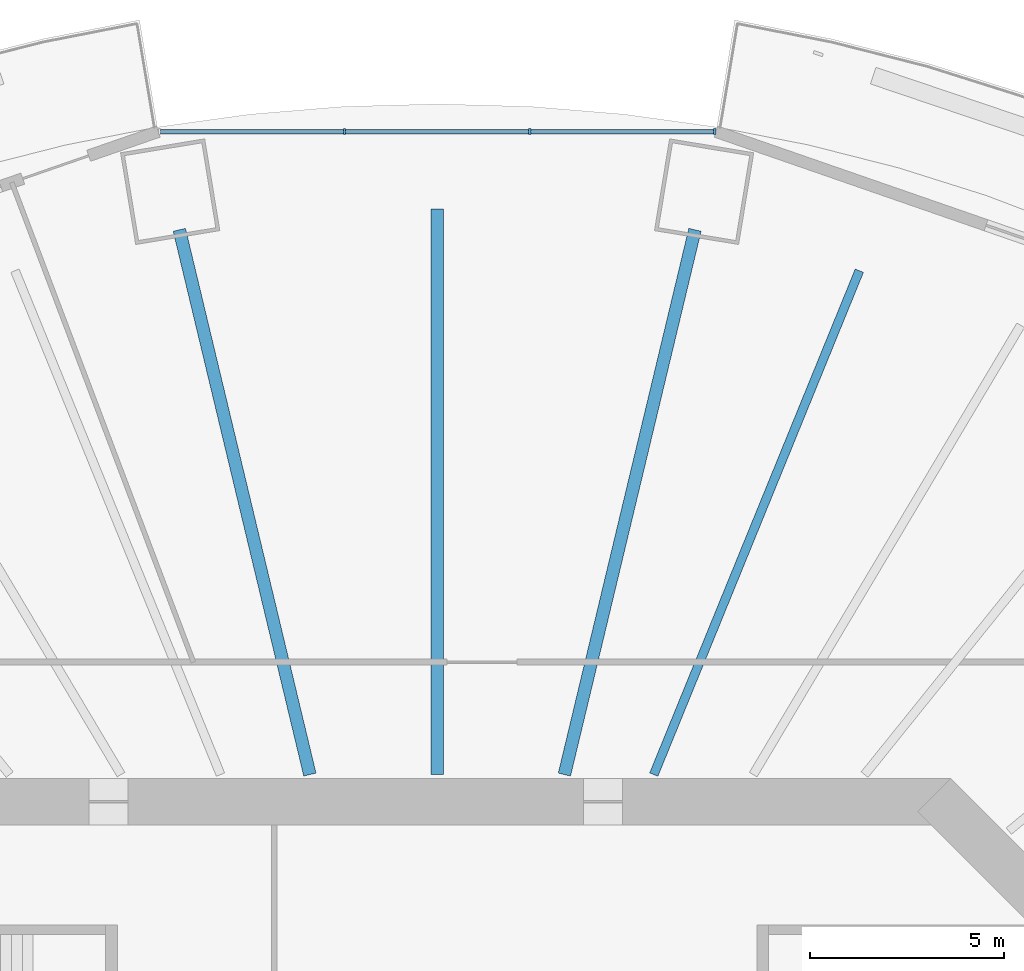
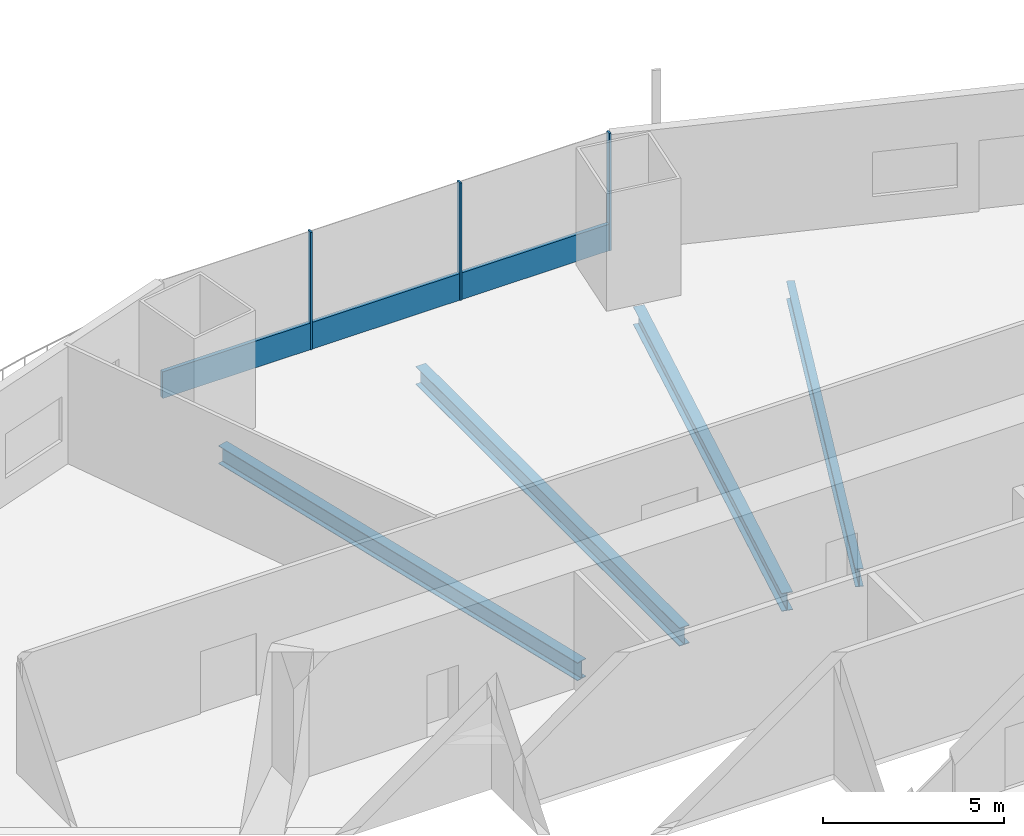
# One storey, part 10 of 27: 4 beams, 4 members, 1 element without a shape of its own.
"""IFC4 building model written with IfcOpenShell, lengths in metres."""

from ifc_helpers import new_model, si_unit, direction, frame, origin, origin_2d, place, context, subcontext, project, spatial, rectangle, i_section, extrude, material, material_profile, profile_set, type_object, element, aggregate, save


model = new_model("IFC4")

# Units and contexts
model_context = context("Model", 3, precision=1e-05, world=origin(), true_north=direction((0.0, 1.0)))
body_context = subcontext(model_context, "Body", "Model", "MODEL_VIEW")
ifc_project = project(units=[si_unit("LENGTHUNIT", "METRE"), si_unit("AREAUNIT", "SQUARE_METRE"), si_unit("VOLUMEUNIT", "CUBIC_METRE"), si_unit("PLANEANGLEUNIT", "RADIAN"), si_unit("MASSUNIT", "GRAM", prefix="KILO")], contexts=[model_context])

# Site, building, storey
site_placement = place(None, origin())
site = spatial("IfcSite", under=ifc_project, at=site_placement, CompositionType="ELEMENT")
building_placement = place(site_placement, origin())
building = spatial("IfcBuilding", under=site, at=building_placement, Name="Marenthal Gate Tower", CompositionType="ELEMENT")
storey_placement = place(building_placement, frame((0.0, 0.0, 33.0)))
storey = spatial("IfcBuildingStorey", under=building, at=storey_placement, Name="L04", CompositionType="ELEMENT", Elevation=33.0)

# Curtain wall, members
ifc_material_1 = material(Name="Aluminium and glass", Category="aluminium")
curtain_wall_type = type_object("IfcCurtainWallType", Name="Curtain wall typical low", PredefinedType="NOTDEFINED", material=ifc_material_1)
curtain_wall_placement = place(storey_placement, origin())
curtain_wall = element("IfcCurtainWall", 1, at=curtain_wall_placement, inside=storey, type_object=curtain_wall_type, Name="Curtain wall L04 bay 4", PredefinedType="NOTDEFINED")
ifc_material_2 = material(Name="Aluminium", Category="aluminium")
ifc_material_profile_1 = material_profile(ifc_material_2, rectangle(XDim=0.159912109375, YDim=0.06005859375, at=origin_2d()), Name="60x160 aluminium mullion")
ifc_profile_set_1 = profile_set([ifc_material_profile_1], Name="Aluminium")
member_type_1 = type_object("IfcMemberType", Name="Mullion 60x160 typical low", PredefinedType="MULLION", material=ifc_profile_set_1)
member_1_placement = place(storey_placement, frame((7.164794921875, 30.28662109375, 0.0), z_axis=(0.0, 0.0, 1.0), x_axis=(0.0, -1.0, 0.0)))
member_1 = element("IfcMember", 2, at=member_1_placement, type_object=member_type_1, Name="Mullion L04 bay 4.1", PredefinedType="MULLION", context=body_context, shape_type="SweptSolid", body=[
    extrude(rectangle(XDim=0.159912109375, YDim=0.06005859375, at=origin_2d()), origin(), (0.0, 0.0, 1.0), 3.969970703125),
])
member_2_placement = place(storey_placement, frame((2.38818359375, 30.28662109375, 0.0), z_axis=(0.0, 0.0, 1.0), x_axis=(0.0, -1.0, 0.0)))
member_2 = element("IfcMember", 3, at=member_2_placement, type_object=member_type_1, Name="Mullion L04 bay 4.2", PredefinedType="MULLION", context=body_context, shape_type="SweptSolid", body=[
    extrude(rectangle(XDim=0.159912109375, YDim=0.06005859375, at=origin_2d()), origin(), (0.0, 0.0, 1.0), 3.969970703125),
])
member_3_placement = place(storey_placement, frame((-2.38818359375, 30.28662109375, 0.0), z_axis=(0.0, 0.0, 1.0), x_axis=(0.0, -1.0, 0.0)))
member_3 = element("IfcMember", 4, at=member_3_placement, type_object=member_type_1, Name="Mullion L04 bay 4.3", PredefinedType="MULLION", context=body_context, shape_type="SweptSolid", body=[
    extrude(rectangle(XDim=0.159912109375, YDim=0.06005859375, at=origin_2d()), origin(), (0.0, 0.0, 1.0), 3.969970703125),
])
ifc_material_3 = material(Name="Aluminium", Category="aluminium")
ifc_material_profile_2 = material_profile(ifc_material_3, rectangle(XDim=0.1201171875, YDim=0.89990234375, at=origin_2d()), Name="120x900 aluminium transom")
ifc_profile_set_2 = profile_set([ifc_material_profile_2], Name="Aluminium")
member_type_2 = type_object("IfcMemberType", Name="Transom 120x900 typical low", PredefinedType="USERDEFINED", material=ifc_profile_set_2)
member_4_placement = place(storey_placement, frame((7.135009765625, 30.28662109375, 0.449951171875), z_axis=(-1.0, 0.0, 0.0), x_axis=(0.0, -1.0, 0.0)))
member_4 = element("IfcMember", 5, at=member_4_placement, type_object=member_type_2, Name="Transom L04 bay 4", ObjectType="TRANSOM", PredefinedType="USERDEFINED", context=body_context, shape_type="SweptSolid", body=[
    extrude(rectangle(XDim=0.1201171875, YDim=0.89990234375, at=origin_2d()), origin(), (0.0, 0.0, 1.0), 14.27001953125),
])
aggregate(curtain_wall, [member_1, member_2, member_3, member_4])

# Beams
ifc_material_4 = material(Name="Steel S355", Category="steel")
ifc_material_profile_3 = material_profile(ifc_material_4, i_section(OverallWidth=0.22900390625, OverallDepth=0.612060546875, WebThickness=0.011962890625, FlangeThickness=0.01953125, FilletRadius=0.0126953125, at=origin_2d()), Name="W610X125")
ifc_profile_set_3 = profile_set([ifc_material_profile_3], Name="Steel S355")
beam_type_1 = type_object("IfcBeamType", Name="W610X125 beam", PredefinedType="BEAM", material=ifc_profile_set_3)
beam_1_placement = place(storey_placement, frame((10.89111328125, 26.697509765625, -0.486083984375), z_axis=(-0.377721132555, -0.925919405791, 0.0), x_axis=(0.925919405791, -0.377721132555, 0.0)))
element("IfcBeam", 6, at=beam_1_placement, inside=storey, type_object=beam_type_1, Name="BM-L04-21", PredefinedType="BEAM", context=body_context, shape_type="SweptSolid", body=[
    extrude(i_section(OverallWidth=0.22900390625, OverallDepth=0.612060546875, WebThickness=0.011962890625, FlangeThickness=0.01953125, FilletRadius=0.0126953125, at=origin_2d()), origin(), (0.0, 0.0, 1.0), 14.037353515625),
])
ifc_material_5 = material(Name="Steel S355", Category="steel")
ifc_material_profile_4 = material_profile(ifc_material_5, i_section(OverallWidth=0.324951171875, OverallDepth=0.612060546875, WebThickness=0.0126953125, FlangeThickness=0.01904296875, FilletRadius=0.0126953125, at=origin_2d()), Name="W610X155")
ifc_profile_set_4 = profile_set([ifc_material_profile_4], Name="Steel S355")
beam_type_2 = type_object("IfcBeamType", Name="W610X155 beam", PredefinedType="BEAM", material=ifc_profile_set_4)
for number, where, z_axis, x_axis, name in (
    (7, (6.65087890625, 27.7529296875, -0.486083984375), (-0.233043227241, -0.972466376919, 0.0), (0.972466376919, -0.233043227241, 0.0), "BM-L04-04"),
    (8, (-6.65087890625, 27.7529296875, -0.486083984375), (0.233043227241, -0.972466376919, 0.0), (0.972466376919, 0.233043227241, 0.0), "BM-L04-05"),
):
    element("IfcBeam", number, at=place(storey_placement, frame(where, z_axis=z_axis, x_axis=x_axis)), inside=storey, type_object=beam_type_2, Name=name, PredefinedType="BEAM", context=body_context, shape_type="SweptSolid", body=[
        extrude(i_section(OverallWidth=0.324951171875, OverallDepth=0.612060546875, WebThickness=0.0126953125, FlangeThickness=0.01904296875, FilletRadius=0.0126953125, at=origin_2d()), origin(), (0.0, 0.0, 1.0), 14.450927734375),
    ])
beam_2_placement = place(storey_placement, frame((0.0, 28.296630859375, -0.486083984375), z_axis=(0.0, -1.0, 0.0), x_axis=(1.0, 0.0, 0.0)))
element("IfcBeam", 9, at=beam_2_placement, inside=storey, type_object=beam_type_2, Name="BM-L04-22", PredefinedType="BEAM", context=body_context, shape_type="SweptSolid", body=[
    extrude(i_section(OverallWidth=0.324951171875, OverallDepth=0.612060546875, WebThickness=0.0126953125, FlangeThickness=0.01904296875, FilletRadius=0.0126953125, at=origin_2d()), origin(), (0.0, 0.0, 1.0), 14.5966796875),
])

save(model, "model.ifc")
